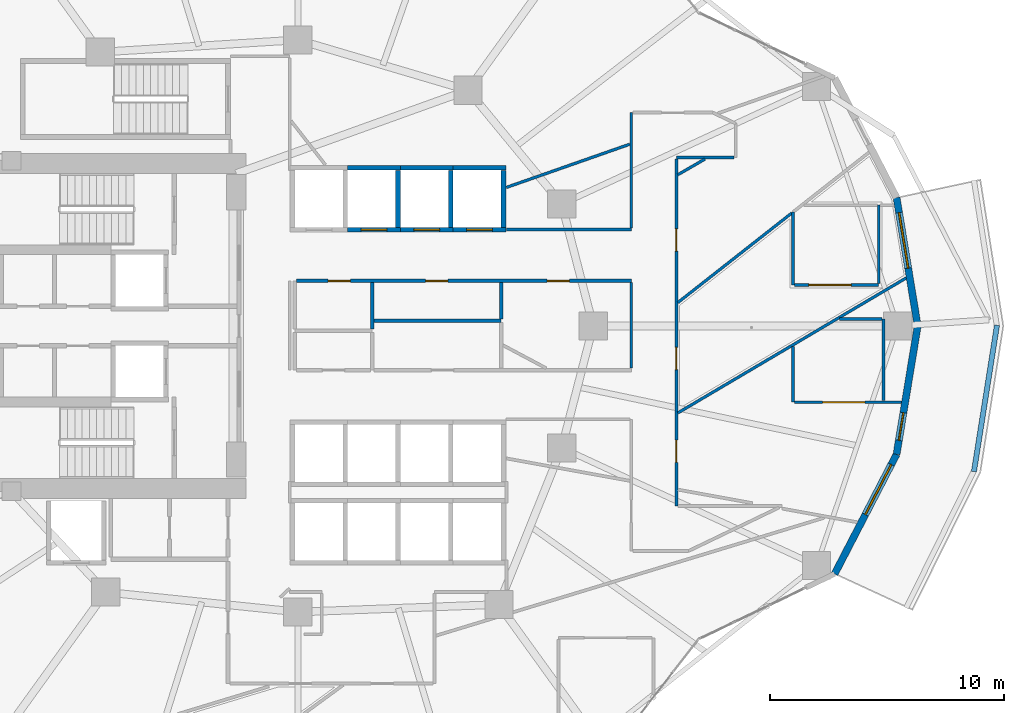
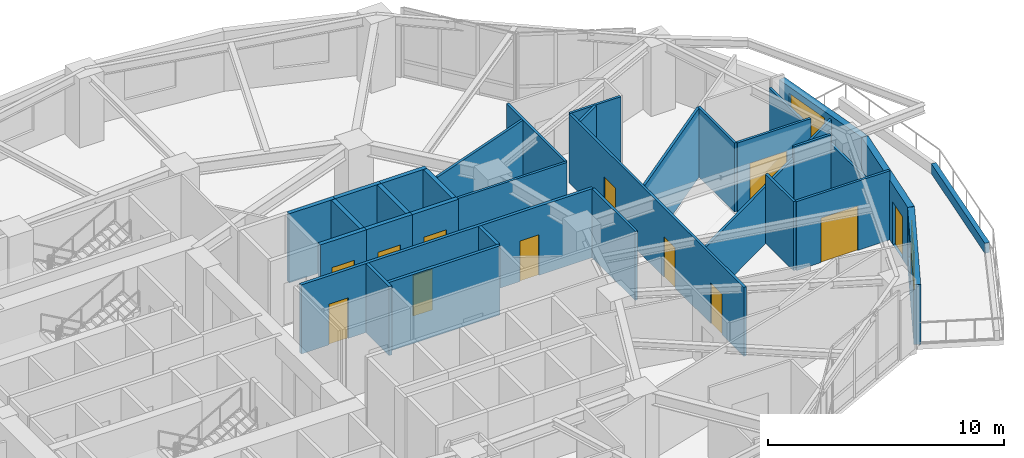
# One storey, part 11 of 19: 33 walls, 12 doors, 2 windows, 14 openings.
"""IFC4 building model written with IfcOpenShell, lengths in metres."""

import ifcopenshell
import ifcopenshell.guid

model = None  # the IFC model being written
_history = None  # IfcOwnerHistory: only IFC2X3 demands one
_inside = {}  # id of a spatial element -> (the spatial element, [elements in it])
_under = {}  # id of a project, library or spatial element -> (it, [spatial elements below it])
_declared = {}  # id of a project -> (the project, [libraries it declares])
_typed = {}  # id of a type object -> (the type object, [elements of that type])
_made_of = {}  # id of a material, layer set ... -> (it, [elements and type objects made of it])


def new_model(schema):
    """Start an empty IFC model of exactly this schema.

    Asked for "IFC4X3", IfcOpenShell would pick the latest addendum, in which some entities
    have other attributes; the version numbers below select the first issue.
    IFC2X3 requires an IfcOwnerHistory on every rooted entity: one is made here for all.
    """
    global model, _history
    if schema == "IFC4X3":
        model = ifcopenshell.file(schema_version=(4, 3, 0, 0))
    else:
        model = ifcopenshell.file(schema=schema)
    _inside.clear()
    _under.clear()
    _declared.clear()
    _typed.clear()
    _made_of.clear()
    _history = None
    if model.schema == "IFC2X3":
        org = make("IfcOrganization", Name="unknown")
        user = make(
            "IfcPersonAndOrganization",
            ThePerson=make("IfcPerson", FamilyName="unknown"),
            TheOrganization=org,
        )
        app = make(
            "IfcApplication",
            ApplicationDeveloper=org,
            Version="unknown",
            ApplicationFullName="unknown",
            ApplicationIdentifier="unknown",
        )
        _history = make(
            "IfcOwnerHistory",
            OwningUser=user,
            OwningApplication=app,
            ChangeAction="ADDED",
            CreationDate=0,
        )
    return model


def make(cls, **values):
    """One entity of the class cls with the attributes given. An attribute that is None is left unset."""
    return model.create_entity(
        cls, **{name: value for name, value in values.items() if value is not None}
    )


def rooted(cls, **values):
    """An entity with a GlobalId (a new one), such as an element, a storey or a relation."""
    return make(cls, GlobalId=ifcopenshell.guid.new(), OwnerHistory=_history, **values)


def si_unit(unit_type, name, prefix=None):
    """IfcSIUnit, for example si_unit("LENGTHUNIT", "METRE", prefix="MILLI")."""
    return make("IfcSIUnit", UnitType=unit_type, Prefix=prefix, Name=name)


def assignment(units):
    """IfcUnitAssignment: the units of a project."""
    return None if units is None else make("IfcUnitAssignment", Units=units)


def point(xyz):
    """IfcCartesianPoint."""
    return None if xyz is None else make("IfcCartesianPoint", Coordinates=xyz)


def direction(xyz):
    """IfcDirection."""
    return None if xyz is None else make("IfcDirection", DirectionRatios=xyz)


def frame(location, z_axis=None, x_axis=None):
    """IfcAxis2Placement3D, a coordinate frame: its origin and axes. An axis left out is left unset."""
    return make(
        "IfcAxis2Placement3D",
        Location=point(location),
        Axis=direction(z_axis),
        RefDirection=direction(x_axis),
    )


def frame_2d(location, x_axis=None):
    """IfcAxis2Placement2D, a coordinate frame in the plane: its origin and x axis."""
    return make(
        "IfcAxis2Placement2D", Location=point(location), RefDirection=direction(x_axis)
    )


def origin():
    """The frame at (0, 0, 0) with its axes left unset."""
    return frame((0.0, 0.0, 0.0))


def place(relative_to, where):
    """IfcLocalPlacement: puts the frame where relative to a parent placement (None: the world)."""
    return make(
        "IfcLocalPlacement", PlacementRelTo=relative_to, RelativePlacement=where
    )


def context(
    kind, dimensions, precision=None, world=None, true_north=None, identifier=None
):
    """IfcGeometricRepresentationContext, for example the 3D "Model" context."""
    return make(
        "IfcGeometricRepresentationContext",
        ContextIdentifier=identifier,
        ContextType=kind,
        CoordinateSpaceDimension=dimensions,
        Precision=precision,
        WorldCoordinateSystem=world,
        TrueNorth=true_north,
    )


def subcontext(parent, identifier, kind, view, scale=None):
    """IfcGeometricRepresentationSubContext, for example "Body" below "Model"."""
    return make(
        "IfcGeometricRepresentationSubContext",
        ContextIdentifier=identifier,
        ContextType=kind,
        ParentContext=parent,
        TargetScale=scale,
        TargetView=view,
    )


def project(units=None, contexts=None):
    """IfcProject with its units and contexts."""
    return rooted(
        "IfcProject",
        Name="project",
        RepresentationContexts=contexts,
        UnitsInContext=assignment(units),
    )


def spatial(cls, under=None, at=None, **own):
    """A site, building, storey or space (cls), placed at a placement, below another one or the project."""
    s = rooted(cls, ObjectPlacement=at, **own)
    if under is not None:
        _under.setdefault(under.id(), (under, []))[1].append(s)
    return s


def profile(cls, at=None, kind="AREA", **sizes):
    """A parametric profile (cls). Its sizes go by their IFC names, for example OverallWidth=200.0."""
    return make(cls, ProfileType=kind, Position=at, **sizes)


def rectangle(**sizes):
    """IfcRectangleProfileDef."""
    return profile("IfcRectangleProfileDef", **sizes)


def extrude(swept, where, along, depth):
    """IfcExtrudedAreaSolid: the profile swept, set in the frame where, extruded along a direction by depth."""
    return make(
        "IfcExtrudedAreaSolid",
        SweptArea=swept,
        Position=where,
        ExtrudedDirection=direction(along),
        Depth=depth,
    )


def shape(context_of_items, identifier, shape_type, items):
    """IfcShapeRepresentation: the items that make up one representation, for example the "Body"."""
    return make(
        "IfcShapeRepresentation",
        ContextOfItems=context_of_items,
        RepresentationIdentifier=identifier,
        RepresentationType=shape_type,
        Items=items,
    )


def material(Name=None, Category=None):
    """IfcMaterial."""
    return make("IfcMaterial", Name=Name, Category=Category)


def layer(
    of_material, thickness, ventilated=None, Name=None, Category=None, Priority=None
):
    """IfcMaterialLayer: one layer of a wall or slab, of a material (None: an air gap)."""
    return make(
        "IfcMaterialLayer",
        Material=of_material,
        LayerThickness=thickness,
        IsVentilated=ventilated,
        Name=Name,
        Category=Category,
        Priority=Priority,
    )


def layer_set(layers, Name=None):
    """IfcMaterialLayerSet."""
    return make("IfcMaterialLayerSet", MaterialLayers=layers, LayerSetName=Name)


def made_of(thing, what):
    """Note that an element or type object is made of a material, layer set ...; save() writes the relation."""
    if what is not None:
        _made_of.setdefault(what.id(), (what, []))[1].append(thing)
    return thing


def type_object(cls, material=None, **own):
    """A type object (cls), such as IfcWallType, which elements share."""
    return made_of(rooted(cls, **own), material)


def element(
    cls,
    number,
    at=None,
    inside=None,
    cuts=None,
    type_object=None,
    material=None,
    context=None,
    identifier="Body",
    shape_type=None,
    held_by="IfcProductDefinitionShape",
    body=None,
    shapes=None,
    **own,
):
    """One element of the class cls, such as IfcWall. Its Tag is "e" and its number.

    at: its placement. inside: the storey or other place that contains it. cuts: it is an
    opening in that element (IfcRelVoidsElement). A single representation is given by context,
    identifier, shape_type and body (its items); several are given by shapes. held_by: the class
    of the entity that holds the representations. save() writes the other relations.
    """
    e = rooted(cls, Tag="e%d" % number, ObjectPlacement=at, **own)
    if body is not None:
        shapes = [shape(context, identifier, shape_type, body)]
    if shapes is not None:
        e.Representation = make(held_by, Representations=shapes)
    if inside is not None:
        _inside.setdefault(inside.id(), (inside, []))[1].append(e)
    if cuts is not None:
        rooted(
            "IfcRelVoidsElement", RelatingBuildingElement=cuts, RelatedOpeningElement=e
        )
    if type_object is not None:
        _typed.setdefault(type_object.id(), (type_object, []))[1].append(e)
    return made_of(e, material)


def fill(opening, filler):
    """IfcRelFillsElement: the door or window that sits in an opening."""
    return rooted(
        "IfcRelFillsElement",
        RelatingOpeningElement=opening,
        RelatedBuildingElement=filler,
    )


def aggregate(whole, parts):
    """IfcRelAggregates: a whole, such as a stair, and the parts it consists of."""
    return rooted("IfcRelAggregates", RelatingObject=whole, RelatedObjects=parts)


def save(model, path):
    """Write the relations noted so far, then the file.

    IfcRelAggregates (storeys below a building ...), IfcRelContainedInSpatialStructure (elements
    in a storey), IfcRelDefinesByType, IfcRelAssociatesMaterial and IfcRelDeclares: one each for
    every whole, place, type object, material and project.
    """
    for whole, parts in _under.values():
        aggregate(whole, parts)
    for where, things in _inside.values():
        rooted(
            "IfcRelContainedInSpatialStructure",
            RelatedElements=things,
            RelatingStructure=where,
        )
    for kind, things in _typed.values():
        rooted("IfcRelDefinesByType", RelatedObjects=things, RelatingType=kind)
    for what, things in _made_of.values():
        rooted("IfcRelAssociatesMaterial", RelatedObjects=things, RelatingMaterial=what)
    for by, libraries in _declared.values():
        rooted("IfcRelDeclares", RelatingContext=by, RelatedDefinitions=libraries)
    model.write(path)


model = new_model("IFC4")

# Units and contexts
model_context = context("Model", 3, precision=1e-05, world=origin(), true_north=direction((0.0, 1.0)))
body_context = subcontext(model_context, "Body", "Model", "MODEL_VIEW")
ifc_project = project(units=[si_unit("LENGTHUNIT", "METRE"), si_unit("AREAUNIT", "SQUARE_METRE"), si_unit("VOLUMEUNIT", "CUBIC_METRE"), si_unit("PLANEANGLEUNIT", "RADIAN"), si_unit("MASSUNIT", "GRAM", prefix="KILO")], contexts=[model_context])

# Site, building, storey
site_placement = place(None, origin())
site = spatial("IfcSite", under=ifc_project, at=site_placement, CompositionType="ELEMENT")
building_placement = place(site_placement, origin())
building = spatial("IfcBuilding", under=site, at=building_placement, Name="Kolvaren Gate Tower and Convention Centre", CompositionType="ELEMENT")
storey_placement = place(building_placement, frame((0.0, 0.0, 68.85009765625)))
storey = spatial("IfcBuildingStorey", under=building, at=storey_placement, Name="L16", CompositionType="ELEMENT", Elevation=68.85009765625)

# Walls
ifc_material_1 = material(Name="Fire-Rated Acoustic Gypsum Stud Partition", Category="gypsum")
ifc_layer_1 = layer(ifc_material_1, 0.1201171875)
ifc_layer_set_1 = layer_set([ifc_layer_1], Name="Fire-Rated Acoustic Gypsum Stud Partition")
wall_type_1 = type_object("IfcWallType", Name="ARCH-WL-PART-120", PredefinedType="PARTITIONING", material=ifc_layer_set_1)
wall_1_placement = place(storey_placement, frame((39.02001953125, 31.1201171875, 0.0), z_axis=(0.0, 0.0, 1.0), x_axis=(1.0, 0.0, 0.0)))
element("IfcWall", 1, at=wall_1_placement, inside=storey, type_object=wall_type_1, Name="Interior Partition WL-L16-INT-031", PredefinedType="PARTITIONING", context=body_context, shape_type="SweptSolid", body=[
    extrude(rectangle(XDim=5.330078125, YDim=0.1201171875, at=frame_2d((2.6650390625, 0.0))), origin(), (0.0, 0.0, 1.0), 3.56982421875),
])
wall_2_placement = place(storey_placement, frame((44.35009765625, 25.197021484375, 0.0), z_axis=(0.0, 0.0, 1.0), x_axis=(0.0, 1.0, 0.0)))
element("IfcWall", 2, at=wall_2_placement, inside=storey, type_object=wall_type_1, Name="Interior Partition WL-L16-INT-033", PredefinedType="PARTITIONING", context=body_context, shape_type="SweptSolid", body=[
    extrude(rectangle(XDim=3.64599609375, YDim=0.1201171875, at=frame_2d((1.822998046875, 0.0))), origin(), (0.0, 0.0, 1.0), 3.56982421875),
])
wall_3_placement = place(storey_placement, frame((44.35009765625, 31.181884765625, 0.0), z_axis=(0.0, 0.0, 1.0), x_axis=(0.0, 1.0, 0.0)))
element("IfcWall", 3, at=wall_3_placement, inside=storey, type_object=wall_type_1, Name="Interior Partition WL-L16-INT-034", PredefinedType="PARTITIONING", context=body_context, shape_type="SweptSolid", body=[
    extrude(rectangle(XDim=4.918212890625, YDim=0.1201171875, at=frame_2d((2.458984375, 0.0))), origin(), (0.0, 0.0, 1.0), 3.56982421875),
])
wall_4_placement = place(storey_placement, frame((46.27001953125, 34.179931640625, 0.0), z_axis=(0.0, 0.0, 1.0), x_axis=(1.0, 0.0, 0.0)))
element("IfcWall", 4, at=wall_4_placement, inside=storey, type_object=wall_type_1, Name="Interior Partition WL-L16-INT-038", PredefinedType="PARTITIONING", context=body_context, shape_type="SweptSolid", body=[
    extrude(rectangle(XDim=2.468017578125, YDim=0.1201171875, at=frame_2d((1.23388671875, 0.0))), origin(), (0.0, 0.0, 1.0), 3.56982421875),
])

# Wall, openings, doors
wall_5_placement = place(storey_placement, frame((46.27001953125, 19.320068359375, 0.0), z_axis=(0.0, 0.0, 1.0), x_axis=(0.0, 1.0, 0.0)))
wall_5 = element("IfcWall", 5, at=wall_5_placement, inside=storey, type_object=wall_type_1, Name="Interior Partition WL-L16-INT-039", PredefinedType="PARTITIONING", context=body_context, shape_type="SweptSolid", body=[
    extrude(rectangle(XDim=14.7978515625, YDim=0.1201171875, at=frame_2d((7.39892578125, 0.0))), origin(), (0.0, 0.0, 1.0), 3.56982421875),
])
opening_1_placement = place(wall_5_placement, frame((1.864990234375, 0.0, 0.0)))
opening_1 = element("IfcOpeningElement", 6, at=opening_1_placement, cuts=wall_5, Name="Opening DR-01", PredefinedType="OPENING", context=body_context, shape_type="SweptSolid", body=[
    extrude(rectangle(XDim=0.949951171875, YDim=2.10009765625, at=frame_2d((0.47509765625, 1.050048828125))), frame((0.0, 0.070068359375, 0.0), z_axis=(0.0, -1.0, 0.0), x_axis=(1.0, 0.0, 0.0)), (0.0, 0.0, 1.0), 0.14013671875),
])
opening_2_placement = place(wall_5_placement, frame((5.817626953125, 0.0, 0.0)))
opening_2 = element("IfcOpeningElement", 7, at=opening_2_placement, cuts=wall_5, Name="Opening DR-01", PredefinedType="OPENING", context=body_context, shape_type="SweptSolid", body=[
    extrude(rectangle(XDim=0.949951171875, YDim=2.10009765625, at=frame_2d((0.47509765625, 1.050048828125))), frame((0.0, 0.070068359375, 0.0), z_axis=(0.0, -1.0, 0.0), x_axis=(1.0, 0.0, 0.0)), (0.0, 0.0, 1.0), 0.14013671875),
])
opening_3_placement = place(wall_5_placement, frame((10.871337890625, 0.0, 0.0)))
opening_3 = element("IfcOpeningElement", 8, at=opening_3_placement, cuts=wall_5, Name="Opening DR-01", PredefinedType="OPENING", context=body_context, shape_type="SweptSolid", body=[
    extrude(rectangle(XDim=0.949951171875, YDim=2.10009765625, at=frame_2d((0.47509765625, 1.050048828125))), frame((0.0, 0.070068359375, 0.0), z_axis=(0.0, -1.0, 0.0), x_axis=(1.0, 0.0, 0.0)), (0.0, 0.0, 1.0), 0.14013671875),
])
ifc_material_2 = material(Name="Painted Architectural Steelwork ASTM A500 Grade C 345 MPa", Category="steel")
door_type_1 = type_object("IfcDoorType", Name="ARCH-DR-RISER-950", OperationType="SINGLE_SWING_RIGHT", PredefinedType="DOOR", material=ifc_material_2)
door_1_placement = place(opening_1_placement, origin())
door_1 = element("IfcDoor", 9, at=door_1_placement, inside=storey, type_object=door_type_1, Name="Associate Cellular Office Door", OperationType="SINGLE_SWING_RIGHT", OverallHeight=2.10009765625, OverallWidth=0.949951171875, PredefinedType="DOOR", context=body_context, shape_type="SweptSolid", body=[
    extrude(rectangle(XDim=0.949951171875, YDim=2.10009765625, at=frame_2d((0.47509765625, 1.050048828125))), frame((0.0, 0.02490234375, 0.0), z_axis=(0.0, -1.0, 0.0), x_axis=(1.0, 0.0, 0.0)), (0.0, 0.0, 1.0), 0.050048828125),
])
fill(opening_1, door_1)
door_2_placement = place(opening_2_placement, origin())
door_2 = element("IfcDoor", 10, at=door_2_placement, inside=storey, type_object=door_type_1, Name="Legal Chambers Cellular Office Door", OperationType="SINGLE_SWING_RIGHT", OverallHeight=2.10009765625, OverallWidth=0.949951171875, PredefinedType="DOOR", context=body_context, shape_type="SweptSolid", body=[
    extrude(rectangle(XDim=0.949951171875, YDim=2.10009765625, at=frame_2d((0.47509765625, 1.050048828125))), frame((0.0, 0.02490234375, 0.0), z_axis=(0.0, -1.0, 0.0), x_axis=(1.0, 0.0, 0.0)), (0.0, 0.0, 1.0), 0.050048828125),
])
fill(opening_2, door_2)
door_3_placement = place(opening_3_placement, origin())
door_3 = element("IfcDoor", 11, at=door_3_placement, inside=storey, type_object=door_type_1, Name="Deposition Interview Room Door", OperationType="SINGLE_SWING_LEFT", OverallHeight=2.10009765625, OverallWidth=0.949951171875, PredefinedType="DOOR", context=body_context, shape_type="SweptSolid", body=[
    extrude(rectangle(XDim=0.949951171875, YDim=2.10009765625, at=frame_2d((0.47509765625, 1.050048828125))), frame((0.0, 0.02490234375, 0.0), z_axis=(0.0, -1.0, 0.0), x_axis=(1.0, 0.0, 0.0)), (0.0, 0.0, 1.0), 0.050048828125),
])
fill(opening_3, door_3)

# Walls
wall_6_placement = place(storey_placement, frame((46.33203125, 23.290283203125, 0.0), z_axis=(0.0, 0.0, 1.0), x_axis=(0.860842745888, 0.508871070953, 0.0)))
element("IfcWall", 12, at=wall_6_placement, inside=storey, type_object=wall_type_1, Name="Interior Partition WL-L16-INT-059", PredefinedType="PARTITIONING", context=body_context, shape_type="SweptSolid", body=[
    extrude(rectangle(XDim=11.31396484375, YDim=0.1201171875, at=frame_2d((5.656982421875, 0.0))), origin(), (0.0, 0.0, 1.0), 2.933837890625),
])
wall_7_placement = place(storey_placement, frame((51.25, 23.75, 0.0), z_axis=(0.0, 0.0, 1.0), x_axis=(0.0, 1.0, 0.0)))
element("IfcWall", 13, at=wall_7_placement, inside=storey, type_object=wall_type_1, Name="Interior Partition WL-L16-INT-060", PredefinedType="PARTITIONING", context=body_context, shape_type="SweptSolid", body=[
    extrude(rectangle(XDim=2.37548828125, YDim=0.1201171875, at=frame_2d((1.187744140625, 0.0))), origin(), (0.0, 0.0, 1.0), 3.56982421875),
])
wall_8_placement = place(storey_placement, frame((51.25, 28.75, 0.0), z_axis=(0.0, 0.0, 1.0), x_axis=(0.0, 1.0, 0.0)))
element("IfcWall", 14, at=wall_8_placement, inside=storey, type_object=wall_type_1, Name="Interior Partition WL-L16-INT-061", PredefinedType="PARTITIONING", context=body_context, shape_type="SweptSolid", body=[
    extrude(rectangle(XDim=3.110107421875, YDim=0.1201171875, at=frame_2d((1.55517578125, 0.0))), origin(), (0.0, 0.0, 1.0), 3.56982421875),
])

# Wall, opening, door
wall_9_placement = place(storey_placement, frame((51.31201171875, 23.75, 0.0), z_axis=(0.0, 0.0, 1.0), x_axis=(1.0, 0.0, 0.0)))
wall_9 = element("IfcWall", 15, at=wall_9_placement, inside=storey, type_object=wall_type_1, Name="Interior Partition WL-L16-INT-062", PredefinedType="PARTITIONING", context=body_context, shape_type="SweptSolid", body=[
    extrude(rectangle(XDim=4.5615234375, YDim=0.1201171875, at=frame_2d((2.28076171875, 0.0))), origin(), (0.0, 0.0, 1.0), 3.56982421875),
])
opening_4_placement = place(wall_9_placement, frame((1.198974609375, 0.0, 0.0)))
opening_4 = element("IfcOpeningElement", 16, at=opening_4_placement, cuts=wall_9, Name="Opening DH-01", PredefinedType="OPENING", context=body_context, shape_type="SweptSolid", body=[
    extrude(rectangle(XDim=1.800048828125, YDim=2.300048828125, at=frame_2d((0.89990234375, 1.14990234375))), frame((0.0, 0.070068359375, 0.0), z_axis=(0.0, -1.0, 0.0), x_axis=(1.0, 0.0, 0.0)), (0.0, 0.0, 1.0), 0.14013671875),
])
ifc_material_3 = material(Name="FSC Andean Oak Engineered Veneer Door Leaf", Category="wood")
door_type_2 = type_object("IfcDoorType", Name="ARCH-DR-HALL-1800", OperationType="DOUBLE_DOOR_SINGLE_SWING", PredefinedType="DOOR", material=ifc_material_3)
door_4_placement = place(opening_4_placement, origin())
door_4 = element("IfcDoor", 17, at=door_4_placement, inside=storey, type_object=door_type_2, Name="Consultation Meeting Room Door", OperationType="DOUBLE_DOOR_SINGLE_SWING", OverallHeight=2.300048828125, OverallWidth=1.800048828125, PredefinedType="DOOR", context=body_context, shape_type="SweptSolid", body=[
    extrude(rectangle(XDim=1.800048828125, YDim=2.300048828125, at=frame_2d((0.89990234375, 1.14990234375))), frame((0.0, 0.02490234375, 0.0), z_axis=(0.0, -1.0, 0.0), x_axis=(1.0, 0.0, 0.0)), (0.0, 0.0, 1.0), 0.050048828125),
])
fill(opening_4, door_4)

# Walls
wall_10_placement = place(storey_placement, frame((55.10009765625, 23.81201171875, 0.0), z_axis=(0.0, 0.0, 1.0), x_axis=(0.0, 1.0, 0.0)))
element("IfcWall", 18, at=wall_10_placement, inside=storey, type_object=wall_type_1, Name="Interior Partition WL-L16-INT-063", PredefinedType="PARTITIONING", context=body_context, shape_type="SweptSolid", body=[
    extrude(rectangle(XDim=3.488037109375, YDim=0.1201171875, at=frame_2d((1.744140625, 0.0))), origin(), (0.0, 0.0, 1.0), 3.093017578125),
])
wall_11_placement = place(storey_placement, frame((53.23681640625, 27.300048828125, 0.0), z_axis=(0.0, 0.0, 1.0), x_axis=(1.0, 0.0, 0.0)))
element("IfcWall", 19, at=wall_11_placement, inside=storey, type_object=wall_type_1, Name="Interior Partition WL-L16-INT-064", PredefinedType="PARTITIONING", context=body_context, shape_type="SweptSolid", body=[
    extrude(rectangle(XDim=1.80126953125, YDim=0.1201171875, at=frame_2d((0.900634765625, 0.0))), origin(), (0.0, 0.0, 1.0), 3.56982421875),
])
wall_12_placement = place(storey_placement, frame((46.33203125, 27.99560546875, 0.0), z_axis=(0.0, 0.0, 1.0), x_axis=(0.786296389823, 0.617849486, 0.0)))
element("IfcWall", 20, at=wall_12_placement, inside=storey, type_object=wall_type_1, Name="Interior Partition WL-L16-INT-066", PredefinedType="PARTITIONING", context=body_context, shape_type="SweptSolid", body=[
    extrude(rectangle(XDim=6.17578125, YDim=0.1201171875, at=frame_2d((3.087890625, 0.0))), origin(), (0.0, 0.0, 1.0), 3.56982421875),
])

# Wall, opening, door
wall_13_placement = place(storey_placement, frame((51.31201171875, 28.75, 0.0), z_axis=(0.0, 0.0, 1.0), x_axis=(1.0, 0.0, 0.0)))
wall_13 = element("IfcWall", 21, at=wall_13_placement, inside=storey, type_object=wall_type_1, Name="Interior Partition WL-L16-INT-067", PredefinedType="PARTITIONING", context=body_context, shape_type="SweptSolid", body=[
    extrude(rectangle(XDim=3.587890625, YDim=0.1201171875, at=frame_2d((1.7939453125, 0.0))), origin(), (0.0, 0.0, 1.0), 3.56982421875),
])
opening_5_placement = place(wall_13_placement, frame((0.614013671875, 0.0, 0.0)))
opening_5 = element("IfcOpeningElement", 22, at=opening_5_placement, cuts=wall_13, Name="Opening DH-01", PredefinedType="OPENING", context=body_context, shape_type="SweptSolid", body=[
    extrude(rectangle(XDim=1.800048828125, YDim=2.300048828125, at=frame_2d((0.89990234375, 1.14990234375))), frame((0.0, 0.070068359375, 0.0), z_axis=(0.0, -1.0, 0.0), x_axis=(1.0, 0.0, 0.0)), (0.0, 0.0, 1.0), 0.14013671875),
])
door_5_placement = place(opening_5_placement, origin())
door_5 = element("IfcDoor", 23, at=door_5_placement, inside=storey, type_object=door_type_2, Name="Consultation Meeting Room Door", OperationType="DOUBLE_DOOR_SINGLE_SWING", OverallHeight=2.300048828125, OverallWidth=1.800048828125, PredefinedType="DOOR", context=body_context, shape_type="SweptSolid", body=[
    extrude(rectangle(XDim=1.800048828125, YDim=2.300048828125, at=frame_2d((0.89990234375, 1.14990234375))), frame((0.0, 0.02490234375, 0.0), z_axis=(0.0, -1.0, 0.0), x_axis=(1.0, 0.0, 0.0)), (0.0, 0.0, 1.0), 0.050048828125),
])
fill(opening_5, door_5)

# Walls
wall_14_placement = place(storey_placement, frame((54.89990234375, 28.81201171875, 0.0), z_axis=(0.0, 0.0, 1.0), x_axis=(0.0, 1.0, 0.0)))
element("IfcWall", 24, at=wall_14_placement, inside=storey, type_object=wall_type_1, Name="Interior Partition WL-L16-INT-068", PredefinedType="PARTITIONING", context=body_context, shape_type="SweptSolid", body=[
    extrude(rectangle(XDim=3.337890625, YDim=0.1201171875, at=frame_2d((1.6689453125, 0.0))), origin(), (0.0, 0.0, 1.0), 3.093017578125),
])
wall_15_placement = place(storey_placement, frame((46.33203125, 33.44970703125, 0.0), z_axis=(0.0, 0.0, 1.0), x_axis=(0.866042617247, 0.499970184224, 0.0)))
element("IfcWall", 25, at=wall_15_placement, inside=storey, type_object=wall_type_1, Name="Interior Partition WL-L16-INT-070", PredefinedType="PARTITIONING", context=body_context, shape_type="SweptSolid", body=[
    extrude(rectangle(XDim=1.33642578125, YDim=0.1201171875, at=frame_2d((0.668212890625, 0.0))), origin(), (0.0, 0.0, 1.0), 3.56982421875),
])
wall_16_placement = place(storey_placement, frame((39.02001953125, 32.90771484375, 0.0), z_axis=(0.0, 0.0, 1.0), x_axis=(0.943794240421, 0.330533556162, 0.0)))
element("IfcWall", 26, at=wall_16_placement, inside=storey, type_object=wall_type_1, Name="Interior Partition WL-L16-INT-071", PredefinedType="PARTITIONING", context=body_context, shape_type="SweptSolid", body=[
    extrude(rectangle(XDim=5.581787109375, YDim=0.1201171875, at=frame_2d((2.791015625, 0.0))), origin(), (0.0, 0.0, 1.0), 3.56982421875),
])
ifc_material_4 = material(Name="Piedmont Cream Honed Limestone Cladding", Category="masonry")
ifc_layer_2 = layer(ifc_material_4, 0.219970703125)
ifc_layer_set_2 = layer_set([ifc_layer_2], Name="Piedmont Cream Honed Limestone Cladding")
wall_type_2 = type_object("IfcWallType", Name="ARCH-WL-PLANTER-220", PredefinedType="PARAPET", material=ifc_layer_set_2)
wall_17_placement = place(storey_placement, frame((58.9619140625, 20.7880859375, 0.0), z_axis=(0.0, 0.0, 1.0), x_axis=(0.15545655238, 0.987842730561, 0.0)))
element("IfcWall", 27, at=wall_17_placement, inside=storey, type_object=wall_type_2, Name="Vertical-Forest Balcony Stone Planter Kerb PK-L16-4.2", PredefinedType="PARAPET", context=body_context, shape_type="SweptSolid", body=[
    extrude(rectangle(XDim=6.318115234375, YDim=0.219970703125, at=frame_2d((3.1591796875, 0.0))), origin(), (0.0, 0.0, 1.0), 0.52001953125),
])
ifc_material_5 = material(Name="Autoclaved Aerated Masonry Blockwork Class 4 (4.0 MPa)", Category="masonry")
ifc_layer_3 = layer(ifc_material_5, 0.199951171875)
ifc_layer_set_3 = layer_set([ifc_layer_3], Name="Autoclaved Aerated Masonry Blockwork Class 4 (4.0 MPa)")
wall_type_3 = type_object("IfcWallType", Name="ARCH-WL-SHAFT-200", PredefinedType="SOLIDWALL", material=ifc_layer_set_3)
wall_18_placement = place(storey_placement, frame((32.25, 33.75, 0.0), z_axis=(0.0, 0.0, 1.0), x_axis=(1.0, 0.0, 0.0)))
element("IfcWall", 28, at=wall_18_placement, inside=storey, type_object=wall_type_3, Name="Elevator PL-02 L16 Fire Shaft Wall N", PredefinedType="SOLIDWALL", context=body_context, shape_type="SweptSolid", body=[
    extrude(rectangle(XDim=2.25, YDim=0.199951171875, at=frame_2d((1.125, 0.0))), origin(), (0.0, 0.0, 1.0), 3.56982421875),
])

# Wall, opening, door
wall_19_placement = place(storey_placement, frame((32.25, 31.10009765625, 0.0), z_axis=(0.0, 0.0, 1.0), x_axis=(1.0, 0.0, 0.0)))
wall_19 = element("IfcWall", 29, at=wall_19_placement, inside=storey, type_object=wall_type_3, Name="Elevator PL-02 L16 Fire Shaft Wall S", PredefinedType="SOLIDWALL", context=body_context, shape_type="SweptSolid", body=[
    extrude(rectangle(XDim=2.25, YDim=0.199951171875, at=frame_2d((1.125, 0.0))), origin(), (0.0, 0.0, 1.0), 3.56982421875),
])
opening_6_placement = place(wall_19_placement, frame((0.574951171875, 0.0, 0.0)))
opening_6 = element("IfcOpeningElement", 30, at=opening_6_placement, cuts=wall_19, Name="Opening LD", PredefinedType="OPENING", context=body_context, shape_type="SweptSolid", body=[
    extrude(rectangle(XDim=1.10009765625, YDim=2.199951171875, at=frame_2d((0.550048828125, 1.10009765625))), frame((0.0, 0.10986328125, 0.0), z_axis=(0.0, -1.0, 0.0), x_axis=(1.0, 0.0, 0.0)), (0.0, 0.0, 1.0), 0.219970703125),
])
ifc_material_6 = material(Name="Brushed Stainless Steel Grade 316L", Category="steel")
door_type_3 = type_object("IfcDoorType", Name="ARCH-DR-LIFT-1100", OperationType="SLIDING_TO_LEFT", PredefinedType="DOOR", material=ifc_material_6)
door_6_placement = place(opening_6_placement, origin())
door_6 = element("IfcDoor", 31, at=door_6_placement, inside=storey, type_object=door_type_3, Name="Elevator PL-02 L16 Sliding Landing Door", OperationType="SLIDING_TO_LEFT", OverallHeight=2.199951171875, OverallWidth=1.10009765625, PredefinedType="DOOR", context=body_context, shape_type="SweptSolid", body=[
    extrude(rectangle(XDim=1.10009765625, YDim=2.199951171875, at=frame_2d((0.550048828125, 1.10009765625))), frame((0.0, 0.02490234375, 0.0), z_axis=(0.0, -1.0, 0.0), x_axis=(1.0, 0.0, 0.0)), (0.0, 0.0, 1.0), 0.050048828125),
])
fill(opening_6, door_6)

# Walls
wall_20_placement = place(storey_placement, frame((34.39990234375, 31.2099609375, 0.0), z_axis=(0.0, 0.0, 1.0), x_axis=(0.0, 1.0, 0.0)))
element("IfcWall", 32, at=wall_20_placement, inside=storey, type_object=wall_type_3, Name="Elevator PL-02 L16 Fire Shaft Wall E", PredefinedType="SOLIDWALL", context=body_context, shape_type="SweptSolid", body=[
    extrude(rectangle(XDim=2.429931640625, YDim=0.199951171875, at=frame_2d((1.21484375, 0.0))), origin(), (0.0, 0.0, 1.0), 3.56982421875),
])
wall_21_placement = place(storey_placement, frame((34.5, 33.75, 0.0), z_axis=(0.0, 0.0, 1.0), x_axis=(1.0, 0.0, 0.0)))
element("IfcWall", 33, at=wall_21_placement, inside=storey, type_object=wall_type_3, Name="Elevator PL-03 L16 Fire Shaft Wall N", PredefinedType="SOLIDWALL", context=body_context, shape_type="SweptSolid", body=[
    extrude(rectangle(XDim=2.25, YDim=0.199951171875, at=frame_2d((1.125, 0.0))), origin(), (0.0, 0.0, 1.0), 3.56982421875),
])

# Wall, opening, door
wall_22_placement = place(storey_placement, frame((34.5, 31.10009765625, 0.0), z_axis=(0.0, 0.0, 1.0), x_axis=(1.0, 0.0, 0.0)))
wall_22 = element("IfcWall", 34, at=wall_22_placement, inside=storey, type_object=wall_type_3, Name="Elevator PL-03 L16 Fire Shaft Wall S", PredefinedType="SOLIDWALL", context=body_context, shape_type="SweptSolid", body=[
    extrude(rectangle(XDim=2.25, YDim=0.199951171875, at=frame_2d((1.125, 0.0))), origin(), (0.0, 0.0, 1.0), 3.56982421875),
])
opening_7_placement = place(wall_22_placement, frame((0.574951171875, 0.0, 0.0)))
opening_7 = element("IfcOpeningElement", 35, at=opening_7_placement, cuts=wall_22, Name="Opening LD", PredefinedType="OPENING", context=body_context, shape_type="SweptSolid", body=[
    extrude(rectangle(XDim=1.10009765625, YDim=2.199951171875, at=frame_2d((0.550048828125, 1.10009765625))), frame((0.0, 0.10986328125, 0.0), z_axis=(0.0, -1.0, 0.0), x_axis=(1.0, 0.0, 0.0)), (0.0, 0.0, 1.0), 0.219970703125),
])
door_7_placement = place(opening_7_placement, origin())
door_7 = element("IfcDoor", 36, at=door_7_placement, inside=storey, type_object=door_type_3, Name="Elevator PL-03 L16 Sliding Landing Door", OperationType="SLIDING_TO_LEFT", OverallHeight=2.199951171875, OverallWidth=1.10009765625, PredefinedType="DOOR", context=body_context, shape_type="SweptSolid", body=[
    extrude(rectangle(XDim=1.10009765625, YDim=2.199951171875, at=frame_2d((0.550048828125, 1.10009765625))), frame((0.0, 0.02490234375, 0.0), z_axis=(0.0, -1.0, 0.0), x_axis=(1.0, 0.0, 0.0)), (0.0, 0.0, 1.0), 0.050048828125),
])
fill(opening_7, door_7)

# Walls
wall_23_placement = place(storey_placement, frame((36.64990234375, 31.2099609375, 0.0), z_axis=(0.0, 0.0, 1.0), x_axis=(0.0, 1.0, 0.0)))
element("IfcWall", 37, at=wall_23_placement, inside=storey, type_object=wall_type_3, Name="Elevator PL-03 L16 Fire Shaft Wall E", PredefinedType="SOLIDWALL", context=body_context, shape_type="SweptSolid", body=[
    extrude(rectangle(XDim=2.429931640625, YDim=0.199951171875, at=frame_2d((1.21484375, 0.0))), origin(), (0.0, 0.0, 1.0), 3.56982421875),
])
wall_24_placement = place(storey_placement, frame((36.75, 33.75, 0.0), z_axis=(0.0, 0.0, 1.0), x_axis=(1.0, 0.0, 0.0)))
element("IfcWall", 38, at=wall_24_placement, inside=storey, type_object=wall_type_3, Name="Elevator PL-04 L16 Fire Shaft Wall N", PredefinedType="SOLIDWALL", context=body_context, shape_type="SweptSolid", body=[
    extrude(rectangle(XDim=2.25, YDim=0.199951171875, at=frame_2d((1.125, 0.0))), origin(), (0.0, 0.0, 1.0), 3.56982421875),
])

# Wall, opening, door
wall_25_placement = place(storey_placement, frame((36.75, 31.10009765625, 0.0), z_axis=(0.0, 0.0, 1.0), x_axis=(1.0, 0.0, 0.0)))
wall_25 = element("IfcWall", 39, at=wall_25_placement, inside=storey, type_object=wall_type_3, Name="Elevator PL-04 L16 Fire Shaft Wall S", PredefinedType="SOLIDWALL", context=body_context, shape_type="SweptSolid", body=[
    extrude(rectangle(XDim=2.25, YDim=0.199951171875, at=frame_2d((1.125, 0.0))), origin(), (0.0, 0.0, 1.0), 3.56982421875),
])
opening_8_placement = place(wall_25_placement, frame((0.574951171875, 0.0, 0.0)))
opening_8 = element("IfcOpeningElement", 40, at=opening_8_placement, cuts=wall_25, Name="Opening LD", PredefinedType="OPENING", context=body_context, shape_type="SweptSolid", body=[
    extrude(rectangle(XDim=1.10009765625, YDim=2.199951171875, at=frame_2d((0.550048828125, 1.10009765625))), frame((0.0, 0.10986328125, 0.0), z_axis=(0.0, -1.0, 0.0), x_axis=(1.0, 0.0, 0.0)), (0.0, 0.0, 1.0), 0.219970703125),
])
door_8_placement = place(opening_8_placement, origin())
door_8 = element("IfcDoor", 41, at=door_8_placement, inside=storey, type_object=door_type_3, Name="Elevator PL-04 L16 Sliding Landing Door", OperationType="SLIDING_TO_LEFT", OverallHeight=2.199951171875, OverallWidth=1.10009765625, PredefinedType="DOOR", context=body_context, shape_type="SweptSolid", body=[
    extrude(rectangle(XDim=1.10009765625, YDim=2.199951171875, at=frame_2d((0.550048828125, 1.10009765625))), frame((0.0, 0.02490234375, 0.0), z_axis=(0.0, -1.0, 0.0), x_axis=(1.0, 0.0, 0.0)), (0.0, 0.0, 1.0), 0.050048828125),
])
fill(opening_8, door_8)

# Wall
wall_26_placement = place(storey_placement, frame((38.89990234375, 31.2099609375, 0.0), z_axis=(0.0, 0.0, 1.0), x_axis=(0.0, 1.0, 0.0)))
element("IfcWall", 42, at=wall_26_placement, inside=storey, type_object=wall_type_3, Name="Elevator PL-04 L16 Fire Shaft Wall E", PredefinedType="SOLIDWALL", context=body_context, shape_type="SweptSolid", body=[
    extrude(rectangle(XDim=2.429931640625, YDim=0.199951171875, at=frame_2d((1.21484375, 0.0))), origin(), (0.0, 0.0, 1.0), 3.56982421875),
])

# Wall, opening, window
ifc_layer_4 = layer(ifc_material_4, 0.300048828125)
ifc_layer_set_4 = layer_set([ifc_layer_4], Name="Piedmont Cream Honed Limestone Cladding")
wall_type_4 = type_object("IfcWallType", Name="ARCH-WL-STONE-300", PredefinedType="SOLIDWALL", material=ifc_layer_set_4)
wall_27_placement = place(storey_placement, frame((55.66162109375, 32.47412109375, 0.0), z_axis=(0.0, 0.0, 1.0), x_axis=(0.162386212206, -0.986727276447, 0.0)))
wall_27 = element("IfcWall", 43, at=wall_27_placement, inside=storey, type_object=wall_type_4, Name="Tower L16 Honed Stone Spandrel Wall EW-00", PredefinedType="SOLIDWALL", context=body_context, shape_type="SweptSolid", body=[
    extrude(rectangle(XDim=5.5478515625, YDim=0.300048828125, at=frame_2d((2.77392578125, 0.0))), origin(), (0.0, 0.0, 1.0), 3.093017578125),
])
opening_9_placement = place(wall_27_placement, frame((0.64990234375, 0.0, 0.85009765625)))
opening_9 = element("IfcOpeningElement", 44, at=opening_9_placement, cuts=wall_27, Name="Opening W-01", PredefinedType="OPENING", context=body_context, shape_type="SweptSolid", body=[
    extrude(rectangle(XDim=2.39990234375, YDim=1.89990234375, at=frame_2d((1.199951171875, 0.949951171875))), frame((0.0, 0.159912109375, 0.0), z_axis=(0.0, -1.0, 0.0), x_axis=(1.0, 0.0, 0.0)), (0.0, 0.0, 1.0), 0.320068359375),
])
ifc_material_7 = material(Name="Low-E Triple Insulated Glazing Unit 44 mm", Category="glass")
window_type = type_object("IfcWindowType", Name="ARCH-WN-OFF-2400", PartitioningType="SINGLE_PANEL", PredefinedType="WINDOW", material=ifc_material_7)
window_1_placement = place(opening_9_placement, origin())
window_1 = element("IfcWindow", 45, at=window_1_placement, inside=storey, type_object=window_type, Name="Tower L16 Punched Stone Facade Window W-00", OverallHeight=1.89990234375, OverallWidth=2.39990234375, PartitioningType="SINGLE_PANEL", PredefinedType="WINDOW", context=body_context, shape_type="SweptSolid", body=[
    extrude(rectangle(XDim=2.39990234375, YDim=1.89990234375, at=frame_2d((1.199951171875, 0.949951171875))), frame((0.0, 0.030029296875, 0.0), z_axis=(0.0, -1.0, 0.0), x_axis=(1.0, 0.0, 0.0)), (0.0, 0.0, 1.0), 0.06005859375),
])
fill(opening_9, window_1)

wall_28_placement = place(storey_placement, frame((53.0205078125, 16.425048828125, 0.0), z_axis=(0.0, 0.0, 1.0), x_axis=(0.459800981414, 0.888021991558, 0.0)))
wall_28 = element("IfcWall", 46, at=wall_28_placement, inside=storey, type_object=wall_type_4, Name="Tower L16 Honed Stone Spandrel Wall EW-22", PredefinedType="SOLIDWALL", context=body_context, shape_type="SweptSolid", body=[
    extrude(rectangle(XDim=5.744140625, YDim=0.300048828125, at=frame_2d((2.8720703125, 0.0))), origin(), (0.0, 0.0, 1.0), 3.093017578125),
])
opening_10_placement = place(wall_28_placement, frame((2.85009765625, 0.0, 0.85009765625)))
opening_10 = element("IfcOpeningElement", 47, at=opening_10_placement, cuts=wall_28, Name="Opening W-01", PredefinedType="OPENING", context=body_context, shape_type="SweptSolid", body=[
    extrude(rectangle(XDim=2.39990234375, YDim=1.89990234375, at=frame_2d((1.199951171875, 0.949951171875))), frame((0.0, 0.159912109375, 0.0), z_axis=(0.0, -1.0, 0.0), x_axis=(1.0, 0.0, 0.0)), (0.0, 0.0, 1.0), 0.320068359375),
])
window_2_placement = place(opening_10_placement, origin())
window_2 = element("IfcWindow", 48, at=window_2_placement, inside=storey, type_object=window_type, Name="Tower L16 Punched Stone Facade Window W-22", OverallHeight=1.89990234375, OverallWidth=2.39990234375, PartitioningType="SINGLE_PANEL", PredefinedType="WINDOW", context=body_context, shape_type="SweptSolid", body=[
    extrude(rectangle(XDim=2.39990234375, YDim=1.89990234375, at=frame_2d((1.199951171875, 0.949951171875))), frame((0.0, 0.030029296875, 0.0), z_axis=(0.0, -1.0, 0.0), x_axis=(1.0, 0.0, 0.0)), (0.0, 0.0, 1.0), 0.06005859375),
])
fill(opening_10, window_2)

# Wall, opening, door
wall_29_placement = place(storey_placement, frame((55.66162109375, 21.52587890625, 0.0), z_axis=(0.0, 0.0, 1.0), x_axis=(0.162386212206, 0.986727276447, 0.0)))
wall_29 = element("IfcWall", 49, at=wall_29_placement, inside=storey, type_object=wall_type_4, Name="Tower L16 Honed Stone Spandrel Wall EW-23", PredefinedType="SOLIDWALL", context=body_context, shape_type="SweptSolid", body=[
    extrude(rectangle(XDim=5.5478515625, YDim=0.300048828125, at=frame_2d((2.77392578125, 0.0))), origin(), (0.0, 0.0, 1.0), 3.093017578125),
])
opening_11_placement = place(wall_29_placement, frame((0.60009765625, 0.0, 0.0)))
opening_11 = element("IfcOpeningElement", 50, at=opening_11_placement, cuts=wall_29, Name="Opening DB-02", PredefinedType="OPENING", context=body_context, shape_type="SweptSolid", body=[
    extrude(rectangle(XDim=1.199951171875, YDim=2.199951171875, at=frame_2d((0.60009765625, 1.10009765625))), frame((0.0, 0.159912109375, 0.0), z_axis=(0.0, -1.0, 0.0), x_axis=(1.0, 0.0, 0.0)), (0.0, 0.0, 1.0), 0.320068359375),
])
ifc_material_8 = material(Name="Anodized Architectural Aluminium Alloy 6063-T6", Category="aluminium")
door_type_4 = type_object("IfcDoorType", Name="ARCH-DR-BALC-1200", OperationType="NOTDEFINED", PredefinedType="DOOR", material=ifc_material_8)
door_9_placement = place(opening_11_placement, frame((1.199951171875, 0.0, 0.0), z_axis=(0.0, 0.0, 1.0), x_axis=(-1.0, 0.0, 0.0)))
door_9 = element("IfcDoor", 51, at=door_9_placement, inside=storey, type_object=door_type_4, Name="Planted Sky Terrace Access Door DB-L16-23", OperationType="SLIDING_TO_LEFT", OverallHeight=2.199951171875, OverallWidth=1.199951171875, PredefinedType="DOOR", context=body_context, shape_type="SweptSolid", body=[
    extrude(rectangle(XDim=1.199951171875, YDim=2.199951171875, at=frame_2d((0.60009765625, 1.10009765625))), frame((0.0, 0.02490234375, 0.0), z_axis=(0.0, -1.0, 0.0), x_axis=(1.0, 0.0, 0.0)), (0.0, 0.0, 1.0), 0.050048828125),
])
fill(opening_11, door_9)

# Wall, openings, doors
ifc_material_9 = material(Name="Moisture-Resistant Cement-Board Acoustic Partition", Category="gypsum")
ifc_layer_5 = layer(ifc_material_9, 0.14990234375)
ifc_layer_set_5 = layer_set([ifc_layer_5], Name="Moisture-Resistant Cement-Board Acoustic Partition")
wall_type_5 = type_object("IfcWallType", Name="ARCH-WL-WET-150", PredefinedType="PARTITIONING", material=ifc_layer_set_5)
wall_30_placement = place(storey_placement, frame((30.076904296875, 28.919921875, 0.0), z_axis=(0.0, 0.0, 1.0), x_axis=(1.0, 0.0, 0.0)))
wall_30 = element("IfcWall", 52, at=wall_30_placement, inside=storey, type_object=wall_type_5, Name="Interior Partition WL-L16-INT-017", PredefinedType="PARTITIONING", context=body_context, shape_type="SweptSolid", body=[
    extrude(rectangle(XDim=14.273193359375, YDim=0.14990234375, at=frame_2d((7.13671875, 0.0))), origin(), (0.0, 0.0, 1.0), 3.56982421875),
])
opening_12_placement = place(wall_30_placement, frame((1.341552734375, 0.0, 0.0)))
opening_12 = element("IfcOpeningElement", 53, at=opening_12_placement, cuts=wall_30, Name="Opening DR-01", PredefinedType="OPENING", context=body_context, shape_type="SweptSolid", body=[
    extrude(rectangle(XDim=0.949951171875, YDim=2.10009765625, at=frame_2d((0.47509765625, 1.050048828125))), frame((0.0, 0.0849609375, 0.0), z_axis=(0.0, -1.0, 0.0), x_axis=(1.0, 0.0, 0.0)), (0.0, 0.0, 1.0), 0.169921875),
])
opening_13_placement = place(wall_30_placement, frame((5.498046875, 0.0, 0.0)))
opening_13 = element("IfcOpeningElement", 54, at=opening_13_placement, cuts=wall_30, Name="Opening DR-01", PredefinedType="OPENING", context=body_context, shape_type="SweptSolid", body=[
    extrude(rectangle(XDim=0.949951171875, YDim=2.10009765625, at=frame_2d((0.47509765625, 1.050048828125))), frame((0.0, 0.0849609375, 0.0), z_axis=(0.0, -1.0, 0.0), x_axis=(1.0, 0.0, 0.0)), (0.0, 0.0, 1.0), 0.169921875),
])
opening_14_placement = place(wall_30_placement, frame((10.677978515625, 0.0, 0.0)))
opening_14 = element("IfcOpeningElement", 55, at=opening_14_placement, cuts=wall_30, Name="Opening DR-01", PredefinedType="OPENING", context=body_context, shape_type="SweptSolid", body=[
    extrude(rectangle(XDim=0.949951171875, YDim=2.10009765625, at=frame_2d((0.47509765625, 1.050048828125))), frame((0.0, 0.0849609375, 0.0), z_axis=(0.0, -1.0, 0.0), x_axis=(1.0, 0.0, 0.0)), (0.0, 0.0, 1.0), 0.169921875),
])
door_10_placement = place(opening_12_placement, origin())
door_10 = element("IfcDoor", 56, at=door_10_placement, inside=storey, type_object=door_type_1, Name="Accessible North Washroom Door", OperationType="SINGLE_SWING_RIGHT", OverallHeight=2.10009765625, OverallWidth=0.949951171875, PredefinedType="DOOR", context=body_context, shape_type="SweptSolid", body=[
    extrude(rectangle(XDim=0.949951171875, YDim=2.10009765625, at=frame_2d((0.47509765625, 1.050048828125))), frame((0.0, 0.02490234375, 0.0), z_axis=(0.0, -1.0, 0.0), x_axis=(1.0, 0.0, 0.0)), (0.0, 0.0, 1.0), 0.050048828125),
])
fill(opening_12, door_10)
door_11_placement = place(opening_13_placement, origin())
door_11 = element("IfcDoor", 57, at=door_11_placement, inside=storey, type_object=door_type_1, Name="Floor Janitor and Supply Store Door", OperationType="SINGLE_SWING_RIGHT", OverallHeight=2.10009765625, OverallWidth=0.949951171875, PredefinedType="DOOR", context=body_context, shape_type="SweptSolid", body=[
    extrude(rectangle(XDim=0.949951171875, YDim=2.10009765625, at=frame_2d((0.47509765625, 1.050048828125))), frame((0.0, 0.02490234375, 0.0), z_axis=(0.0, -1.0, 0.0), x_axis=(1.0, 0.0, 0.0)), (0.0, 0.0, 1.0), 0.050048828125),
])
fill(opening_13, door_11)
door_12_placement = place(opening_14_placement, origin())
door_12 = element("IfcDoor", 58, at=door_12_placement, inside=storey, type_object=door_type_1, Name="Tea Pantry Door", OperationType="SINGLE_SWING_LEFT", OverallHeight=2.10009765625, OverallWidth=0.949951171875, PredefinedType="DOOR", context=body_context, shape_type="SweptSolid", body=[
    extrude(rectangle(XDim=0.949951171875, YDim=2.10009765625, at=frame_2d((0.47509765625, 1.050048828125))), frame((0.0, 0.02490234375, 0.0), z_axis=(0.0, -1.0, 0.0), x_axis=(1.0, 0.0, 0.0)), (0.0, 0.0, 1.0), 0.050048828125),
])
fill(opening_14, door_12)

# Walls
wall_31_placement = place(storey_placement, frame((33.300048828125, 26.876953125, 0.0), z_axis=(0.0, 0.0, 1.0), x_axis=(0.0, 1.0, 0.0)))
element("IfcWall", 59, at=wall_31_placement, inside=storey, type_object=wall_type_5, Name="Interior Partition WL-L16-INT-018 (2)", PredefinedType="PARTITIONING", context=body_context, shape_type="SweptSolid", body=[
    extrude(rectangle(XDim=1.966064453125, YDim=0.14990234375, at=frame_2d((0.98291015625, 0.0))), origin(), (0.0, 0.0, 1.0), 3.56982421875),
])
wall_32_placement = place(storey_placement, frame((33.376953125, 27.219970703125, 0.0), z_axis=(0.0, 0.0, 1.0), x_axis=(1.0, 0.0, 0.0)))
element("IfcWall", 60, at=wall_32_placement, inside=storey, type_object=wall_type_5, Name="Interior Partition WL-L16-INT-020", PredefinedType="PARTITIONING", context=body_context, shape_type="SweptSolid", body=[
    extrude(rectangle(XDim=5.423095703125, YDim=0.14990234375, at=frame_2d((2.71142578125, 0.0))), origin(), (0.0, 0.0, 1.0), 3.56982421875),
])
wall_33_placement = place(storey_placement, frame((38.800048828125, 27.297119140625, 0.0), z_axis=(0.0, 0.0, 1.0), x_axis=(0.0, 1.0, 0.0)))
element("IfcWall", 61, at=wall_33_placement, inside=storey, type_object=wall_type_5, Name="Interior Partition WL-L16-INT-021 (2)", PredefinedType="PARTITIONING", context=body_context, shape_type="SweptSolid", body=[
    extrude(rectangle(XDim=1.5458984375, YDim=0.14990234375, at=frame_2d((0.77294921875, 0.0))), origin(), (0.0, 0.0, 1.0), 3.56982421875),
])

save(model, "model.ifc")
